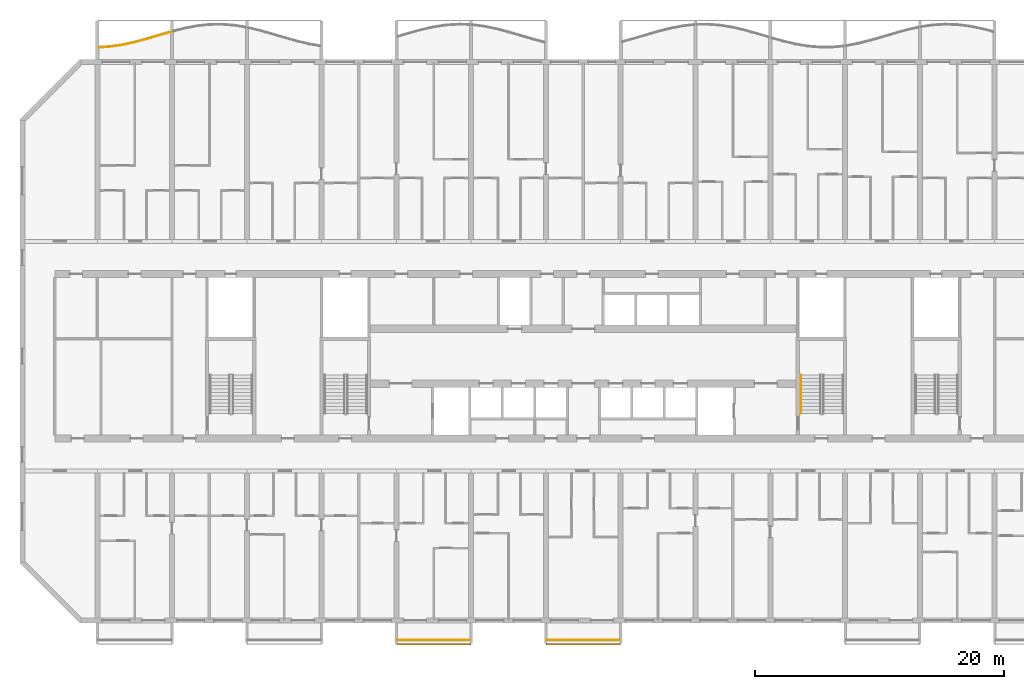
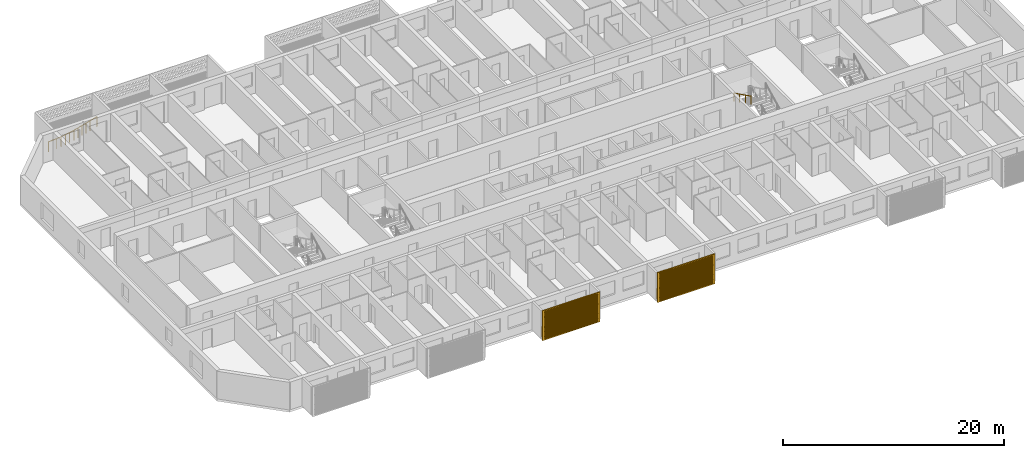
# One storey, part 19 of 39: 4 railings, 2 shading devices.
"""IFC4 building model written with IfcOpenShell, lengths in metres."""

from ifc_helpers import new_model, si_unit, direction, frame, origin, origin_2d, place, context, subcontext, project, spatial, polyline, circle, outline, extrude, source, transform, mapped, material, material_profile, profile_set, type_object, element, save


model = new_model("IFC4")

# Units and contexts
model_context = context("Model", 3, precision=1e-05, world=origin(), true_north=direction((0.0, 1.0)))
body_context = subcontext(model_context, "Body", "Model", "MODEL_VIEW")
ifc_project = project(units=[si_unit("LENGTHUNIT", "METRE"), si_unit("AREAUNIT", "SQUARE_METRE"), si_unit("VOLUMEUNIT", "CUBIC_METRE"), si_unit("PLANEANGLEUNIT", "RADIAN"), si_unit("MASSUNIT", "GRAM", prefix="KILO")], contexts=[model_context])

# Site, building, storey
site_placement = place(None, origin())
site = spatial("IfcSite", under=ifc_project, at=site_placement, CompositionType="ELEMENT")
building_placement = place(site_placement, origin())
building = spatial("IfcBuilding", under=site, at=building_placement, Name="Poui Terraces", CompositionType="ELEMENT")
storey_placement = place(building_placement, frame((0.0, 0.0, 59.699951171875)))
storey = spatial("IfcBuildingStorey", under=building, at=storey_placement, Name="L16", CompositionType="ELEMENT", Elevation=59.699951171875)

# Railings
ifc_material_1 = material(Name="Painted steel fretwork", Category="steel")
railing_type_1 = type_object("IfcRailingType", Name="BALCONY GUARD 1100", PredefinedType="GUARDRAIL", material=ifc_material_1)
railing_1_placement = place(storey_placement, frame((12.125, 45.97216796875, 0.0)))
element("IfcRailing", 1, at=railing_1_placement, inside=storey, type_object=railing_type_1, Name="BALCONY GUARD", PredefinedType="GUARDRAIL", context=body_context, shape_type="SweptSolid", body=[
    extrude(circle(Radius=0.02392578125, at=origin_2d()), frame((0.0, 0.0, 1.076171875), z_axis=(0.99812131414, 0.061268607453, 0.0), x_axis=(-0.061268607453, 0.99812131414, 0.0)), (0.0, 0.0, 1.0), 0.876708984375),
    extrude(circle(Radius=0.02392578125, at=origin_2d()), frame((0.875, 0.0537109375, 1.076171875), z_axis=(0.989681961654, 0.143281592593, 0.0), x_axis=(-0.143281592593, 0.989681961654, 0.0)), (0.0, 0.0, 1.0), 1.010498046875),
    extrude(circle(Radius=0.02392578125, at=origin_2d()), frame((1.875, 0.198486328125, 1.076171875), z_axis=(0.97675043296, 0.214379550593, 0.0), x_axis=(-0.214379550593, 0.97675043296, 0.0)), (0.0, 0.0, 1.0), 1.023681640625),
    extrude(circle(Radius=0.02392578125, at=origin_2d()), frame((2.875, 0.41796875, 1.076171875), z_axis=(0.965067658743, 0.262000790167, 0.0), x_axis=(-0.262000790167, 0.965067658743, 0.0)), (0.0, 0.0, 1.0), 1.0361328125),
    extrude(circle(Radius=0.02392578125, at=origin_2d()), frame((3.875, 0.689453125, 1.076171875), z_axis=(0.959029275123, 0.283306988012, 0.0), x_axis=(-0.283306988012, 0.959029275123, 0.0)), (0.0, 0.0, 1.0), 1.042724609375),
    extrude(circle(Radius=0.02392578125, at=origin_2d()), frame((4.875, 0.98486328125, 1.076171875), z_axis=(0.960239707098, 0.279176834485, 0.0), x_axis=(-0.279176834485, 0.960239707098, 0.0)), (0.0, 0.0, 1.0), 0.9111328125),
    extrude(circle(Radius=0.02099609375, at=origin_2d()), origin(), (0.0, 0.0, 1.0), 1.052001953125),
    extrude(circle(Radius=0.02099609375, at=origin_2d()), frame((0.875, 0.0537109375, 0.0)), (0.0, 0.0, 1.0), 1.052001953125),
    extrude(circle(Radius=0.02099609375, at=origin_2d()), frame((1.375, 0.1259765625, 0.0)), (0.0, 0.0, 1.0), 1.052001953125),
    extrude(circle(Radius=0.02099609375, at=origin_2d()), frame((1.875, 0.198486328125, 0.0)), (0.0, 0.0, 1.0), 1.052001953125),
    extrude(circle(Radius=0.02099609375, at=origin_2d()), frame((2.375, 0.30810546875, 0.0)), (0.0, 0.0, 1.0), 1.052001953125),
    extrude(circle(Radius=0.02099609375, at=origin_2d()), frame((2.875, 0.41796875, 0.0)), (0.0, 0.0, 1.0), 1.052001953125),
    extrude(circle(Radius=0.02099609375, at=origin_2d()), frame((3.375, 0.5537109375, 0.0)), (0.0, 0.0, 1.0), 1.052001953125),
    extrude(circle(Radius=0.02099609375, at=origin_2d()), frame((3.875, 0.689453125, 0.0)), (0.0, 0.0, 1.0), 1.052001953125),
    extrude(circle(Radius=0.02099609375, at=origin_2d()), frame((4.375, 0.837158203125, 0.0)), (0.0, 0.0, 1.0), 1.052001953125),
    extrude(circle(Radius=0.02099609375, at=origin_2d()), frame((4.875, 0.98486328125, 0.0)), (0.0, 0.0, 1.0), 1.052001953125),
    extrude(circle(Radius=0.02099609375, at=origin_2d()), frame((5.75, 1.2392578125, 0.0)), (0.0, 0.0, 1.0), 1.052001953125),
])
for number, where, name in (
    (2, (36.10009765625, -1.570068359375, 0.0), "BALCONY GUARD"),
    (3, (48.10009765625, -1.570068359375, 0.0), "BALCONY GUARD"),
):
    element("IfcRailing", number, at=place(storey_placement, frame(where)), inside=storey, type_object=railing_type_1, Name=name, PredefinedType="GUARDRAIL", context=body_context, shape_type="SweptSolid", body=[
        extrude(circle(Radius=0.02392578125, at=origin_2d()), frame((0.0, 0.0, 1.076171875), z_axis=(1.0, 0.0, 0.0), x_axis=(0.0, 1.0, 0.0)), (0.0, 0.0, 1.0), 5.7998046875),
        extrude(circle(Radius=0.02099609375, at=origin_2d()), origin(), (0.0, 0.0, 1.0), 1.052001953125),
        extrude(circle(Radius=0.02099609375, at=origin_2d()), frame((0.966552734375, 0.0, 0.0)), (0.0, 0.0, 1.0), 1.052001953125),
        extrude(circle(Radius=0.02099609375, at=origin_2d()), frame((1.933349609375, 0.0, 0.0)), (0.0, 0.0, 1.0), 1.052001953125),
        extrude(circle(Radius=0.02099609375, at=origin_2d()), frame((2.89990234375, 0.0, 0.0)), (0.0, 0.0, 1.0), 1.052001953125),
        extrude(circle(Radius=0.02099609375, at=origin_2d()), frame((3.866455078125, 0.0, 0.0)), (0.0, 0.0, 1.0), 1.052001953125),
        extrude(circle(Radius=0.02099609375, at=origin_2d()), frame((4.833251953125, 0.0, 0.0)), (0.0, 0.0, 1.0), 1.052001953125),
        extrude(circle(Radius=0.02099609375, at=origin_2d()), frame((5.7998046875, 0.0, 0.0)), (0.0, 0.0, 1.0), 1.052001953125),
    ])
ifc_material_2 = material(Name="Stainless steel handrail", Category="steel")
railing_type_2 = type_object("IfcRailingType", Name="STAIR HANDRAIL 900", PredefinedType="HANDRAIL", material=ifc_material_2)
railing_2_placement = place(storey_placement, frame((68.47509765625, 19.679931640625, 1.78759765625)))
element("IfcRailing", 4, at=railing_2_placement, inside=storey, type_object=railing_type_2, Name="L16 ST-CE stair handrail 2", PredefinedType="HANDRAIL", context=body_context, shape_type="SweptSolid", body=[
    extrude(circle(Radius=0.02392578125, at=origin_2d()), frame((0.0, 0.0, 0.8759765625), z_axis=(0.0, -0.897606190399, 0.440798283751), x_axis=(1.0, 0.0, 0.0)), (0.0, 0.0, 1.0), 3.43115234375),
    extrude(circle(Radius=0.02099609375, at=origin_2d()), origin(), (0.0, 0.0, 1.0), 0.851806640625),
    extrude(circle(Radius=0.02099609375, at=origin_2d()), frame((0.0, -1.026611328125, 0.504150390625)), (0.0, 0.0, 1.0), 0.851806640625),
    extrude(circle(Radius=0.02099609375, at=origin_2d()), frame((0.0, -2.05322265625, 1.00830078125)), (0.0, 0.0, 1.0), 0.851806640625),
    extrude(circle(Radius=0.02099609375, at=origin_2d()), frame((0.0, -3.079833984375, 1.512451171875)), (0.0, 0.0, 1.0), 0.851806640625),
])

# Shading devices
ifc_material_3 = material(Name="Aluminium louvre", Category="aluminium")
ifc_material_profile = material_profile(ifc_material_3, outline(polyline([(-3.0, -1.64990234375), (3.0, -1.64990234375), (3.0, 1.64990234375), (-3.0, 1.64990234375), (-3.0, -1.64990234375)]), holes=[polyline([(-2.800048828125, -1.530029296875), (2.800048828125, -1.530029296875), (2.800048828125, -1.469970703125), (-2.800048828125, -1.469970703125), (-2.800048828125, -1.530029296875)]), polyline([(-2.800048828125, -1.429931640625), (2.800048828125, -1.429931640625), (2.800048828125, -1.3701171875), (-2.800048828125, -1.3701171875), (-2.800048828125, -1.429931640625)]), polyline([(-2.800048828125, -1.330078125), (2.800048828125, -1.330078125), (2.800048828125, -1.27001953125), (-2.800048828125, -1.27001953125), (-2.800048828125, -1.330078125)]), polyline([(-2.800048828125, -1.22998046875), (2.800048828125, -1.22998046875), (2.800048828125, -1.169921875), (-2.800048828125, -1.169921875), (-2.800048828125, -1.22998046875)]), polyline([(-2.800048828125, -1.1298828125), (2.800048828125, -1.1298828125), (2.800048828125, -1.070068359375), (-2.800048828125, -1.070068359375), (-2.800048828125, -1.1298828125)]), polyline([(-2.800048828125, -1.030029296875), (2.800048828125, -1.030029296875), (2.800048828125, -0.969970703125), (-2.800048828125, -0.969970703125), (-2.800048828125, -1.030029296875)]), polyline([(-2.800048828125, -0.929931640625), (2.800048828125, -0.929931640625), (2.800048828125, -0.8701171875), (-2.800048828125, -0.8701171875), (-2.800048828125, -0.929931640625)]), polyline([(-2.800048828125, -0.830078125), (2.800048828125, -0.830078125), (2.800048828125, -0.77001953125), (-2.800048828125, -0.77001953125), (-2.800048828125, -0.830078125)]), polyline([(-2.800048828125, -0.72998046875), (2.800048828125, -0.72998046875), (2.800048828125, -0.669921875), (-2.800048828125, -0.669921875), (-2.800048828125, -0.72998046875)]), polyline([(-2.800048828125, -0.6298828125), (2.800048828125, -0.6298828125), (2.800048828125, -0.570068359375), (-2.800048828125, -0.570068359375), (-2.800048828125, -0.6298828125)]), polyline([(-2.800048828125, -0.530029296875), (2.800048828125, -0.530029296875), (2.800048828125, -0.469970703125), (-2.800048828125, -0.469970703125), (-2.800048828125, -0.530029296875)]), polyline([(-2.800048828125, -0.429931640625), (2.800048828125, -0.429931640625), (2.800048828125, -0.3701171875), (-2.800048828125, -0.3701171875), (-2.800048828125, -0.429931640625)]), polyline([(-2.800048828125, -0.330078125), (2.800048828125, -0.330078125), (2.800048828125, -0.27001953125), (-2.800048828125, -0.27001953125), (-2.800048828125, -0.330078125)]), polyline([(-2.800048828125, -0.22998046875), (2.800048828125, -0.22998046875), (2.800048828125, -0.169921875), (-2.800048828125, -0.169921875), (-2.800048828125, -0.22998046875)]), polyline([(-2.800048828125, -0.1298828125), (2.800048828125, -0.1298828125), (2.800048828125, -0.070068359375), (-2.800048828125, -0.070068359375), (-2.800048828125, -0.1298828125)]), polyline([(-2.800048828125, -0.030029296875), (2.800048828125, -0.030029296875), (2.800048828125, 0.030029296875), (-2.800048828125, 0.030029296875), (-2.800048828125, -0.030029296875)]), polyline([(-2.800048828125, 0.070068359375), (2.800048828125, 0.070068359375), (2.800048828125, 0.1298828125), (-2.800048828125, 0.1298828125), (-2.800048828125, 0.070068359375)]), polyline([(-2.800048828125, 0.169921875), (2.800048828125, 0.169921875), (2.800048828125, 0.22998046875), (-2.800048828125, 0.22998046875), (-2.800048828125, 0.169921875)]), polyline([(-2.800048828125, 0.27001953125), (2.800048828125, 0.27001953125), (2.800048828125, 0.330078125), (-2.800048828125, 0.330078125), (-2.800048828125, 0.27001953125)]), polyline([(-2.800048828125, 0.3701171875), (2.800048828125, 0.3701171875), (2.800048828125, 0.429931640625), (-2.800048828125, 0.429931640625), (-2.800048828125, 0.3701171875)]), polyline([(-2.800048828125, 0.469970703125), (2.800048828125, 0.469970703125), (2.800048828125, 0.530029296875), (-2.800048828125, 0.530029296875), (-2.800048828125, 0.469970703125)]), polyline([(-2.800048828125, 0.570068359375), (2.800048828125, 0.570068359375), (2.800048828125, 0.6298828125), (-2.800048828125, 0.6298828125), (-2.800048828125, 0.570068359375)]), polyline([(-2.800048828125, 0.669921875), (2.800048828125, 0.669921875), (2.800048828125, 0.72998046875), (-2.800048828125, 0.72998046875), (-2.800048828125, 0.669921875)]), polyline([(-2.800048828125, 0.77001953125), (2.800048828125, 0.77001953125), (2.800048828125, 0.830078125), (-2.800048828125, 0.830078125), (-2.800048828125, 0.77001953125)]), polyline([(-2.800048828125, 0.8701171875), (2.800048828125, 0.8701171875), (2.800048828125, 0.929931640625), (-2.800048828125, 0.929931640625), (-2.800048828125, 0.8701171875)]), polyline([(-2.800048828125, 0.969970703125), (2.800048828125, 0.969970703125), (2.800048828125, 1.030029296875), (-2.800048828125, 1.030029296875), (-2.800048828125, 0.969970703125)]), polyline([(-2.800048828125, 1.070068359375), (2.800048828125, 1.070068359375), (2.800048828125, 1.1298828125), (-2.800048828125, 1.1298828125), (-2.800048828125, 1.070068359375)]), polyline([(-2.800048828125, 1.169921875), (2.800048828125, 1.169921875), (2.800048828125, 1.22998046875), (-2.800048828125, 1.22998046875), (-2.800048828125, 1.169921875)]), polyline([(-2.800048828125, 1.27001953125), (2.800048828125, 1.27001953125), (2.800048828125, 1.330078125), (-2.800048828125, 1.330078125), (-2.800048828125, 1.27001953125)]), polyline([(-2.800048828125, 1.3701171875), (2.800048828125, 1.3701171875), (2.800048828125, 1.429931640625), (-2.800048828125, 1.429931640625), (-2.800048828125, 1.3701171875)]), polyline([(-2.800048828125, 1.469970703125), (2.800048828125, 1.469970703125), (2.800048828125, 1.530029296875), (-2.800048828125, 1.530029296875), (-2.800048828125, 1.469970703125)])]), Name="JALOUSIE LOUVRE SHUTTER 6000X3300")
ifc_profile_set = profile_set([ifc_material_profile], Name="Aluminium louvre")
shading_device_type = type_object("IfcShadingDeviceType", Name="JALOUSIE LOUVRE SHUTTER 6000X3300", PredefinedType="JALOUSIE", material=ifc_profile_set)
shared_shape = source(origin(), body_context, "Body", "SweptSolid", [
    extrude(outline(polyline([(-3.0, -1.64990234375), (3.0, -1.64990234375), (3.0, 1.64990234375), (-3.0, 1.64990234375), (-3.0, -1.64990234375)]), holes=[polyline([(-2.800048828125, -1.530029296875), (2.800048828125, -1.530029296875), (2.800048828125, -1.469970703125), (-2.800048828125, -1.469970703125), (-2.800048828125, -1.530029296875)]), polyline([(-2.800048828125, -1.429931640625), (2.800048828125, -1.429931640625), (2.800048828125, -1.3701171875), (-2.800048828125, -1.3701171875), (-2.800048828125, -1.429931640625)]), polyline([(-2.800048828125, -1.330078125), (2.800048828125, -1.330078125), (2.800048828125, -1.27001953125), (-2.800048828125, -1.27001953125), (-2.800048828125, -1.330078125)]), polyline([(-2.800048828125, -1.22998046875), (2.800048828125, -1.22998046875), (2.800048828125, -1.169921875), (-2.800048828125, -1.169921875), (-2.800048828125, -1.22998046875)]), polyline([(-2.800048828125, -1.1298828125), (2.800048828125, -1.1298828125), (2.800048828125, -1.070068359375), (-2.800048828125, -1.070068359375), (-2.800048828125, -1.1298828125)]), polyline([(-2.800048828125, -1.030029296875), (2.800048828125, -1.030029296875), (2.800048828125, -0.969970703125), (-2.800048828125, -0.969970703125), (-2.800048828125, -1.030029296875)]), polyline([(-2.800048828125, -0.929931640625), (2.800048828125, -0.929931640625), (2.800048828125, -0.8701171875), (-2.800048828125, -0.8701171875), (-2.800048828125, -0.929931640625)]), polyline([(-2.800048828125, -0.830078125), (2.800048828125, -0.830078125), (2.800048828125, -0.77001953125), (-2.800048828125, -0.77001953125), (-2.800048828125, -0.830078125)]), polyline([(-2.800048828125, -0.72998046875), (2.800048828125, -0.72998046875), (2.800048828125, -0.669921875), (-2.800048828125, -0.669921875), (-2.800048828125, -0.72998046875)]), polyline([(-2.800048828125, -0.6298828125), (2.800048828125, -0.6298828125), (2.800048828125, -0.570068359375), (-2.800048828125, -0.570068359375), (-2.800048828125, -0.6298828125)]), polyline([(-2.800048828125, -0.530029296875), (2.800048828125, -0.530029296875), (2.800048828125, -0.469970703125), (-2.800048828125, -0.469970703125), (-2.800048828125, -0.530029296875)]), polyline([(-2.800048828125, -0.429931640625), (2.800048828125, -0.429931640625), (2.800048828125, -0.3701171875), (-2.800048828125, -0.3701171875), (-2.800048828125, -0.429931640625)]), polyline([(-2.800048828125, -0.330078125), (2.800048828125, -0.330078125), (2.800048828125, -0.27001953125), (-2.800048828125, -0.27001953125), (-2.800048828125, -0.330078125)]), polyline([(-2.800048828125, -0.22998046875), (2.800048828125, -0.22998046875), (2.800048828125, -0.169921875), (-2.800048828125, -0.169921875), (-2.800048828125, -0.22998046875)]), polyline([(-2.800048828125, -0.1298828125), (2.800048828125, -0.1298828125), (2.800048828125, -0.070068359375), (-2.800048828125, -0.070068359375), (-2.800048828125, -0.1298828125)]), polyline([(-2.800048828125, -0.030029296875), (2.800048828125, -0.030029296875), (2.800048828125, 0.030029296875), (-2.800048828125, 0.030029296875), (-2.800048828125, -0.030029296875)]), polyline([(-2.800048828125, 0.070068359375), (2.800048828125, 0.070068359375), (2.800048828125, 0.1298828125), (-2.800048828125, 0.1298828125), (-2.800048828125, 0.070068359375)]), polyline([(-2.800048828125, 0.169921875), (2.800048828125, 0.169921875), (2.800048828125, 0.22998046875), (-2.800048828125, 0.22998046875), (-2.800048828125, 0.169921875)]), polyline([(-2.800048828125, 0.27001953125), (2.800048828125, 0.27001953125), (2.800048828125, 0.330078125), (-2.800048828125, 0.330078125), (-2.800048828125, 0.27001953125)]), polyline([(-2.800048828125, 0.3701171875), (2.800048828125, 0.3701171875), (2.800048828125, 0.429931640625), (-2.800048828125, 0.429931640625), (-2.800048828125, 0.3701171875)]), polyline([(-2.800048828125, 0.469970703125), (2.800048828125, 0.469970703125), (2.800048828125, 0.530029296875), (-2.800048828125, 0.530029296875), (-2.800048828125, 0.469970703125)]), polyline([(-2.800048828125, 0.570068359375), (2.800048828125, 0.570068359375), (2.800048828125, 0.6298828125), (-2.800048828125, 0.6298828125), (-2.800048828125, 0.570068359375)]), polyline([(-2.800048828125, 0.669921875), (2.800048828125, 0.669921875), (2.800048828125, 0.72998046875), (-2.800048828125, 0.72998046875), (-2.800048828125, 0.669921875)]), polyline([(-2.800048828125, 0.77001953125), (2.800048828125, 0.77001953125), (2.800048828125, 0.830078125), (-2.800048828125, 0.830078125), (-2.800048828125, 0.77001953125)]), polyline([(-2.800048828125, 0.8701171875), (2.800048828125, 0.8701171875), (2.800048828125, 0.929931640625), (-2.800048828125, 0.929931640625), (-2.800048828125, 0.8701171875)]), polyline([(-2.800048828125, 0.969970703125), (2.800048828125, 0.969970703125), (2.800048828125, 1.030029296875), (-2.800048828125, 1.030029296875), (-2.800048828125, 0.969970703125)]), polyline([(-2.800048828125, 1.070068359375), (2.800048828125, 1.070068359375), (2.800048828125, 1.1298828125), (-2.800048828125, 1.1298828125), (-2.800048828125, 1.070068359375)]), polyline([(-2.800048828125, 1.169921875), (2.800048828125, 1.169921875), (2.800048828125, 1.22998046875), (-2.800048828125, 1.22998046875), (-2.800048828125, 1.169921875)]), polyline([(-2.800048828125, 1.27001953125), (2.800048828125, 1.27001953125), (2.800048828125, 1.330078125), (-2.800048828125, 1.330078125), (-2.800048828125, 1.27001953125)]), polyline([(-2.800048828125, 1.3701171875), (2.800048828125, 1.3701171875), (2.800048828125, 1.429931640625), (-2.800048828125, 1.429931640625), (-2.800048828125, 1.3701171875)]), polyline([(-2.800048828125, 1.469970703125), (2.800048828125, 1.469970703125), (2.800048828125, 1.530029296875), (-2.800048828125, 1.530029296875), (-2.800048828125, 1.469970703125)])]), origin(), (0.0, 0.0, 1.0), 0.099853515625),
])
for number, where, z_axis, x_axis, name in (
    (5, (39.0, -1.85009765625, 1.449951171875), (0.0, -1.0, 0.0), (1.0, 0.0, 0.0), "JALOUSIE LOUVRE SHUTTER"),
    (6, (51.0, -1.85009765625, 1.449951171875), (0.0, -1.0, 0.0), (1.0, 0.0, 0.0), "JALOUSIE LOUVRE SHUTTER"),
):
    element("IfcShadingDevice", number, at=place(storey_placement, frame(where, z_axis=z_axis, x_axis=x_axis)), inside=storey, type_object=shading_device_type, Name=name, PredefinedType="JALOUSIE", context=body_context, shape_type="MappedRepresentation", body=[
        mapped(shared_shape, transform((0.0, 0.0, 0.0))),
    ])

save(model, "model.ifc")
